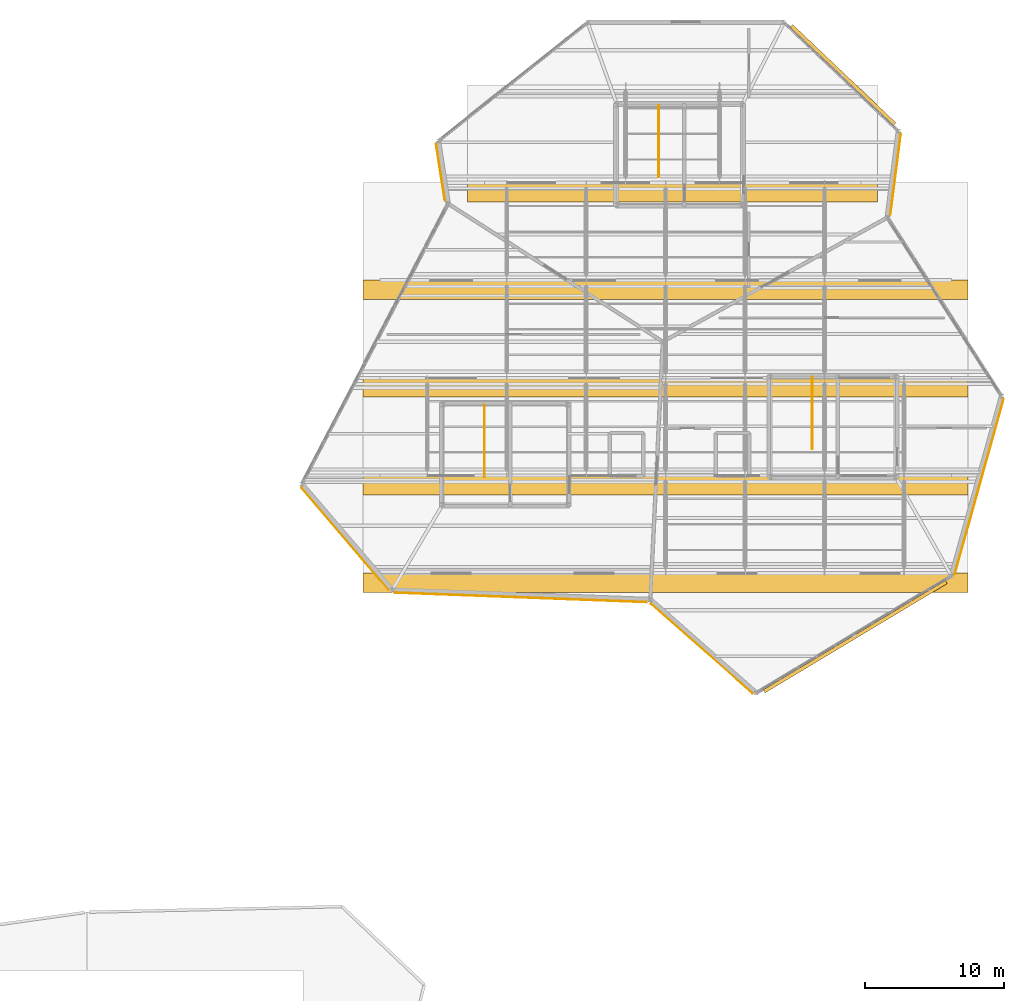
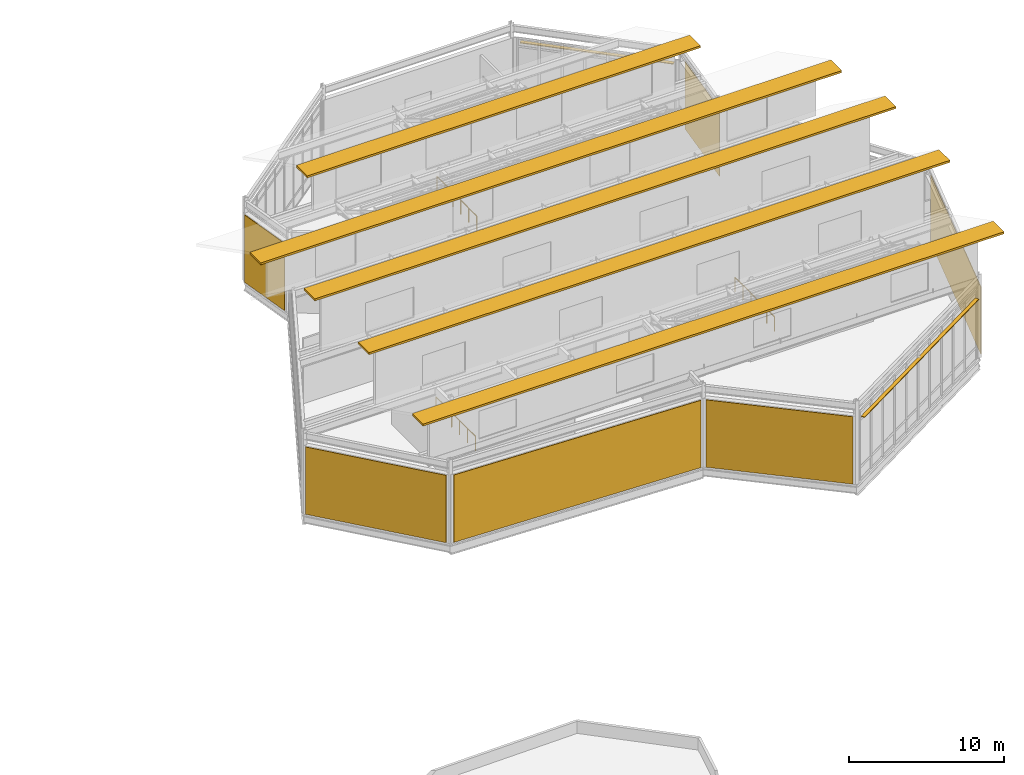
# One storey, part 55 of 55: 7 shading devices, 6 coverings, 3 railings.
"""IFC4 building model written with IfcOpenShell, lengths in metres."""

from ifc_helpers import new_model, si_unit, direction, frame, frame_2d, origin, origin_2d, place, context, subcontext, project, spatial, rectangle, circle, extrude, material, layer, layer_set, type_object, element, save


model = new_model("IFC4")

# Units and contexts
model_context = context("Model", 3, precision=1e-05, world=origin(), true_north=direction((0.0, 1.0)))
body_context = subcontext(model_context, "Body", "Model", "MODEL_VIEW")
ifc_project = project(units=[si_unit("LENGTHUNIT", "METRE"), si_unit("AREAUNIT", "SQUARE_METRE"), si_unit("VOLUMEUNIT", "CUBIC_METRE"), si_unit("PLANEANGLEUNIT", "RADIAN"), si_unit("MASSUNIT", "GRAM", prefix="KILO")], contexts=[model_context])

# Site, building, storey
site_placement = place(None, origin())
site = spatial("IfcSite", under=ifc_project, at=site_placement, CompositionType="ELEMENT")
building_placement = place(site_placement, origin())
building = spatial("IfcBuilding", under=site, at=building_placement, Name="Tameran Prism Museum", CompositionType="ELEMENT")
storey_placement = place(building_placement, frame((0.0, 0.0, 28.800048828125)))
storey = spatial("IfcBuildingStorey", under=building, at=storey_placement, Name="L05", CompositionType="ELEMENT", Elevation=28.800048828125)

# Coverings
ifc_material_1 = material(Name="White Fluted Mineral Precast GRC", Category="concrete")
ifc_layer_1 = layer(ifc_material_1, 0.044921875)
ifc_layer_set_1 = layer_set([ifc_layer_1])
covering_type = type_object("IfcCoveringType", Name="CV-FLUTE-WHT", PredefinedType="CLADDING", material=ifc_layer_set_1)
covering_1_placement = place(storey_placement, frame((117.653076171875, 70.4189453125, 0.050048828125), z_axis=(0.0, 0.0, 1.0), x_axis=(-0.99928497739, 0.037809178279, 0.0)))
element("IfcCovering", 1, at=covering_1_placement, inside=storey, type_object=covering_type, Name="Vertical Fluted White Precast Panel CL-0070", PredefinedType="CLADDING", context=body_context, shape_type="SweptSolid", body=[
    extrude(rectangle(XDim=18.093017578125, YDim=0.044921875, at=frame_2d((9.04638671875, 0.0))), origin(), (0.0, 0.0, 1.0), 5.31982421875),
])
covering_2_placement = place(storey_placement, frame((99.138916015625, 71.31298828125, 0.050048828125), z_axis=(0.0, 0.0, 1.0), x_axis=(-0.649933824591, 0.759990804979, 0.0)))
element("IfcCovering", 2, at=covering_2_placement, inside=storey, type_object=covering_type, Name="Vertical Fluted White Precast Panel CL-0071", PredefinedType="CLADDING", context=body_context, shape_type="SweptSolid", body=[
    extrude(rectangle(XDim=9.640869140625, YDim=0.044921875, at=frame_2d((4.8203125, 0.0))), origin(), (0.0, 0.0, 1.0), 5.31982421875),
])
covering_3_placement = place(storey_placement, frame((125.239013671875, 63.876953125, 0.050048828125), z_axis=(0.0, 0.0, 1.0), x_axis=(-0.750181119255, 0.661232401137, 0.0)))
element("IfcCovering", 3, at=covering_3_placement, inside=storey, type_object=covering_type, Name="Vertical Fluted White Precast Panel CL-0072", PredefinedType="CLADDING", context=body_context, shape_type="SweptSolid", body=[
    extrude(rectangle(XDim=9.7109375, YDim=0.044921875, at=frame_2d((4.85546875, 0.0))), origin(), (0.0, 0.0, 1.0), 5.31982421875),
])
covering_4_placement = place(storey_placement, frame((143.235107421875, 84.97607421875, 0.050048828125), z_axis=(0.0, 0.0, 1.0), x_axis=(-0.268850292875, -0.963181976586, 0.0)))
element("IfcCovering", 4, at=covering_4_placement, inside=storey, type_object=covering_type, Name="Vertical Fluted White Precast Panel CL-0073", PredefinedType="CLADDING", context=body_context, shape_type="SweptSolid", body=[
    extrude(rectangle(XDim=13.033935546875, YDim=0.044921875, at=frame_2d((6.51708984375, 0.0))), origin(), (0.0, 0.0, 1.0), 5.31982421875),
])
covering_5_placement = place(storey_placement, frame((135.864990234375, 103.9970703125, 0.050048828125), z_axis=(0.0, 0.0, 1.0), x_axis=(-0.127928833278, -0.991783350141, 0.0)))
element("IfcCovering", 5, at=covering_5_placement, inside=storey, type_object=covering_type, Name="Vertical Fluted White Precast Panel CL-0074", PredefinedType="CLADDING", context=body_context, shape_type="SweptSolid", body=[
    extrude(rectangle(XDim=5.83203125, YDim=0.044921875, at=frame_2d((2.916015625, 0.0))), origin(), (0.0, 0.0, 1.0), 5.31982421875),
])
covering_6_placement = place(storey_placement, frame((103.176025390625, 99.2080078125, 0.050048828125), z_axis=(0.0, 0.0, 1.0), x_axis=(-0.153836417565, 0.988096329631, 0.0)))
element("IfcCovering", 6, at=covering_6_placement, inside=storey, type_object=covering_type, Name="Vertical Fluted White Precast Panel CL-0075", PredefinedType="CLADDING", context=body_context, shape_type="SweptSolid", body=[
    extrude(rectangle(XDim=4.13427734375, YDim=0.044921875, at=frame_2d((2.067138671875, 0.0))), origin(), (0.0, 0.0, 1.0), 5.31982421875),
])

# Railings
ifc_material_2 = material(Name="Marine Stainless Steel 316", Category="steel")
ifc_layer_2 = layer(ifc_material_2, 0.054931640625)
ifc_layer_set_2 = layer_set([ifc_layer_2])
railing_type = type_object("IfcRailingType", Name="RL-GR-1120", PredefinedType="GUARDRAIL", material=ifc_layer_set_2)
for number, where, name in (
    (7, (106.010009765625, 79.419921875, 0.0), "Stair Well Slot Guard GR-S028"),
    (8, (129.510009765625, 81.419921875, 0.0), "Stair Well Slot Guard GR-S056"),
    (9, (118.510009765625, 100.919921875, 0.0), "Stair Well Slot Guard GR-S084"),
):
    element("IfcRailing", number, at=place(storey_placement, frame(where)), inside=storey, type_object=railing_type, Name=name, PredefinedType="GUARDRAIL", context=body_context, shape_type="SweptSolid", body=[
        extrude(circle(Radius=0.02392578125, at=origin_2d()), frame((0.0, 0.0, 1.1259765625), z_axis=(0.0, 1.0, 0.0), x_axis=(-1.0, 0.0, 0.0)), (0.0, 0.0, 1.0), 5.130126953125),
        extrude(circle(Radius=0.02099609375, at=origin_2d()), origin(), (0.0, 0.0, 1.0), 1.101806640625),
        extrude(circle(Radius=0.02099609375, at=origin_2d()), frame((0.0, 1.026123046875, 0.0)), (0.0, 0.0, 1.0), 1.101806640625),
        extrude(circle(Radius=0.02099609375, at=origin_2d()), frame((0.0, 2.052001953125, 0.0)), (0.0, 0.0, 1.0), 1.101806640625),
        extrude(circle(Radius=0.02099609375, at=origin_2d()), frame((0.0, 3.078125, 0.0)), (0.0, 0.0, 1.0), 1.101806640625),
        extrude(circle(Radius=0.02099609375, at=origin_2d()), frame((0.0, 4.10400390625, 0.0)), (0.0, 0.0, 1.0), 1.101806640625),
        extrude(circle(Radius=0.02099609375, at=origin_2d()), frame((0.0, 5.130126953125, 0.0)), (0.0, 0.0, 1.0), 1.101806640625),
    ])

# Shading devices
ifc_material_3 = material(Name="Anodised Aluminium Alloy 6063-T6", Category="aluminium")
ifc_layer_3 = layer(ifc_material_3, 0.044921875)
ifc_layer_set_3 = layer_set([ifc_layer_3])
shading_device_type_1 = type_object("IfcShadingDeviceType", Name="SH-JAL-240", PredefinedType="JALOUSIE", material=ifc_layer_set_3)
shading_device_1_placement = place(storey_placement, frame((131.72412109375, 108.22998046875, 4.93994140625), z_axis=(0.0, 0.0, 1.0), x_axis=(0.724532846102, -0.689240273721, 0.0)))
element("IfcShadingDevice", 10, at=shading_device_1_placement, inside=storey, type_object=shading_device_type_1, Name="Monsoon Storm Louvre SLV-074", PredefinedType="JALOUSIE", context=body_context, shape_type="SweptSolid", body=[
    extrude(rectangle(XDim=10.217041015625, YDim=0.260009765625, at=origin_2d()), origin(), (0.0, 0.0, 1.0), 0.06005859375),
])
ifc_material_4 = material(Name="Anodised Aluminium Alloy 6063-T6", Category="aluminium")
ifc_layer_4 = layer(ifc_material_4, 0.050048828125)
ifc_layer_set_4 = layer_set([ifc_layer_4])
shading_device_type_2 = type_object("IfcShadingDeviceType", Name="SH-LOUV-300", PredefinedType="SHUTTER", material=ifc_layer_set_4)
shading_device_2_placement = place(storey_placement, frame((132.593017578125, 67.946044921875, 4.93994140625), z_axis=(0.0, 0.0, 1.0), x_axis=(-0.857526656194, -0.514439533782, 0.0)))
element("IfcShadingDevice", 11, at=shading_device_2_placement, inside=storey, type_object=shading_device_type_2, Name="Monsoon Storm Louvre SLV-073", PredefinedType="SHUTTER", context=body_context, shape_type="SweptSolid", body=[
    extrude(rectangle(XDim=15.22705078125, YDim=0.260009765625, at=origin_2d()), origin(), (0.0, 0.0, 1.0), 0.06005859375),
])
ifc_material_5 = material(Name="Anodised Aluminium Alloy 6063-T6", Category="aluminium")
ifc_layer_5 = layer(ifc_material_5, 0.159912109375)
ifc_layer_set_5 = layer_set([ifc_layer_5])
shading_device_type_3 = type_object("IfcShadingDeviceType", Name="SH-SAW-HOOD", PredefinedType="USERDEFINED", material=ifc_layer_set_5)
for number, where, z_axis, x_axis, name in (
    (12, (119.0, 71.820068359375, 10.0), (0.0, 0.0, 1.0), (1.0, 0.0, 0.0), "Sawtooth Solar Hood SAW-01"),
    (13, (119.0, 78.820068359375, 11.39990234375), (0.0, 0.0, 1.0), (1.0, 0.0, 0.0), "Sawtooth Solar Hood SAW-02"),
    (14, (119.0, 85.820068359375, 11.39990234375), (0.0, 0.0, 1.0), (1.0, 0.0, 0.0), "Sawtooth Solar Hood SAW-03"),
    (15, (119.0, 92.820068359375, 10.0), (0.0, 0.0, 1.0), (1.0, 0.0, 0.0), "Sawtooth Solar Hood SAW-04"),
):
    element("IfcShadingDevice", number, at=place(storey_placement, frame(where, z_axis=z_axis, x_axis=x_axis)), inside=storey, type_object=shading_device_type_3, Name=name, ObjectType="SOLAR HOOD", PredefinedType="USERDEFINED", context=body_context, shape_type="SweptSolid", body=[
        extrude(rectangle(XDim=43.39990234375, YDim=1.39990234375, at=origin_2d()), origin(), (0.0, 0.0, 1.0), 0.159912109375),
    ])
shading_device_3_placement = place(storey_placement, frame((119.5, 99.820068359375, 10.0), z_axis=(0.0, 0.0, 1.0), x_axis=(1.0, 0.0, 0.0)))
element("IfcShadingDevice", 16, at=shading_device_3_placement, inside=storey, type_object=shading_device_type_3, Name="Sawtooth Solar Hood SAW-05", ObjectType="SOLAR HOOD", PredefinedType="USERDEFINED", context=body_context, shape_type="SweptSolid", body=[
    extrude(rectangle(XDim=29.39990234375, YDim=1.39990234375, at=origin_2d()), origin(), (0.0, 0.0, 1.0), 0.159912109375),
])

save(model, "model.ifc")
